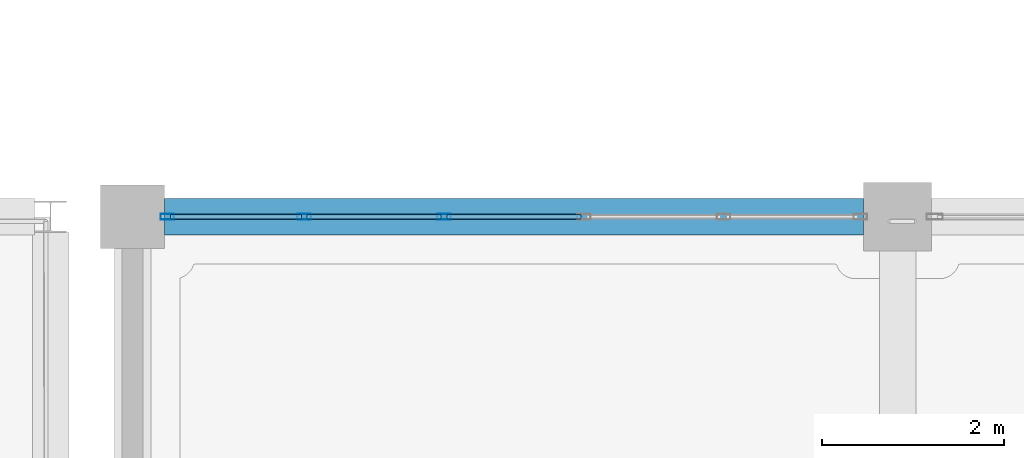
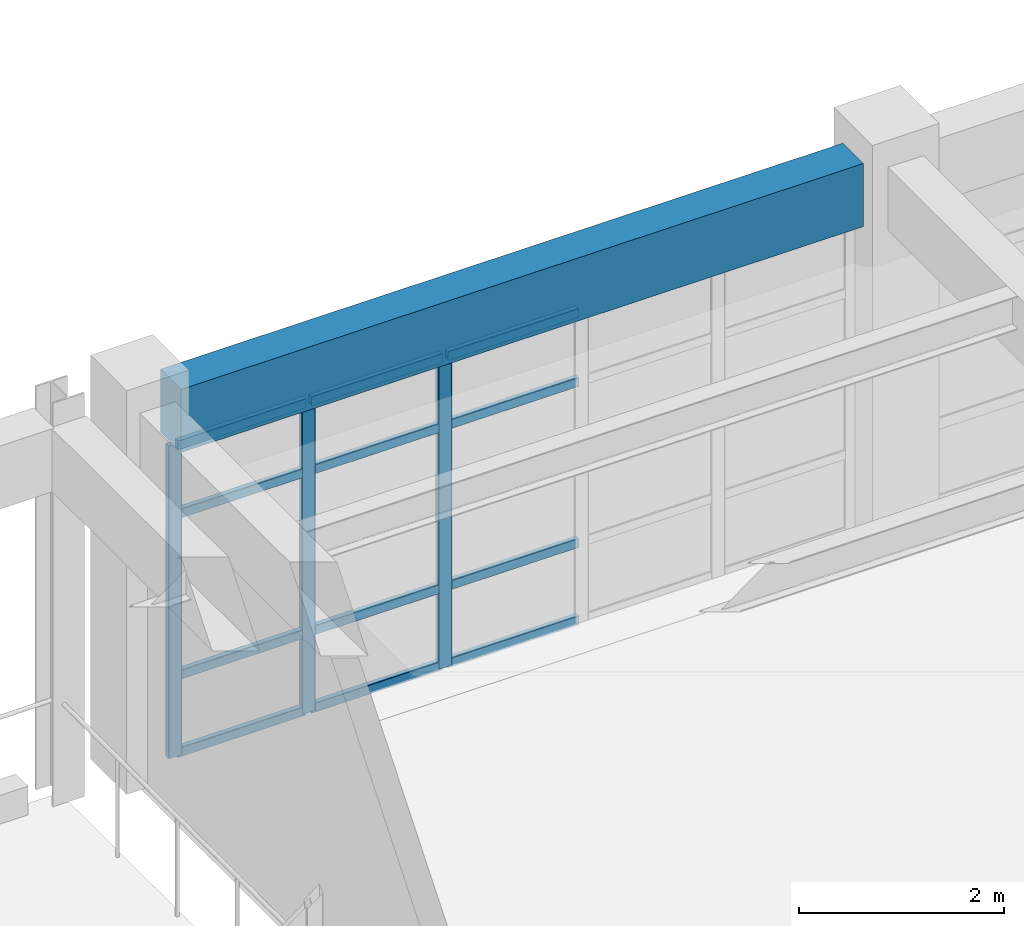
# One storey, part 17 of 98: 15 members, 1 beam, 1 element without a shape of its own.
"""IFC4 building model written with IfcOpenShell, lengths in metres."""

from ifc_helpers import new_model, si_unit, direction, frame, origin, origin_2d, place, context, subcontext, project, spatial, rectangle, hollow_rectangle, extrude, material, material_profile, profile_set, type_object, element, aggregate, save


model = new_model("IFC4")

# Units and contexts
model_context = context("Model", 3, precision=1e-05, world=origin(), true_north=direction((0.0, 1.0)))
body_context = subcontext(model_context, "Body", "Model", "MODEL_VIEW")
ifc_project = project(units=[si_unit("LENGTHUNIT", "METRE"), si_unit("AREAUNIT", "SQUARE_METRE"), si_unit("VOLUMEUNIT", "CUBIC_METRE"), si_unit("PLANEANGLEUNIT", "RADIAN"), si_unit("MASSUNIT", "GRAM", prefix="KILO")], contexts=[model_context])

# Site, building, storey
site_placement = place(None, origin())
site = spatial("IfcSite", under=ifc_project, at=site_placement, CompositionType="ELEMENT")
building_placement = place(site_placement, origin())
building = spatial("IfcBuilding", under=site, at=building_placement, Name="Canglan Escarpment Cableway Terminal", CompositionType="ELEMENT")
storey_placement = place(building_placement, frame((0.0, 0.0, 9.60009765625)))
storey = spatial("IfcBuildingStorey", under=building, at=storey_placement, Name="L02", CompositionType="ELEMENT", Elevation=9.60009765625)

# Curtain wall, members
ifc_material_1 = material(Name="Anodized bronze aluminium and Low-E double glazing", Category="aluminium")
curtain_wall_type = type_object("IfcCurtainWallType", Name="CW-BAY-7675x3725", PredefinedType="NOTDEFINED", material=ifc_material_1)
curtain_wall_placement = place(storey_placement, origin())
curtain_wall = element("IfcCurtainWall", 1, at=curtain_wall_placement, inside=storey, type_object=curtain_wall_type, Name="Classical bay-between-piers glazed curtain wall CW-05", PredefinedType="NOTDEFINED")
ifc_material_2 = material(Name="Thermally broken anodized aluminium 6063-T6", Category="aluminium")
ifc_material_profile_1 = material_profile(ifc_material_2, hollow_rectangle(XDim=0.06494140625, YDim=0.14990234375, WallThickness=0.00341796875, InnerFilletRadius=0.00341796875, OuterFilletRadius=0.007080078125, at=origin_2d()), Name="ALU-MULL 65x150x3.5")
ifc_profile_set_1 = profile_set([ifc_material_profile_1], Name="Thermally broken anodized aluminium 6063-T6")
member_type_1 = type_object("IfcMemberType", Name="CWM-02", PredefinedType="MULLION", material=ifc_profile_set_1)
member_1_placement = place(storey_placement, frame((80.419921875, 24.800048828125, 0.0), z_axis=(0.0, 0.0, 1.0), x_axis=(0.0, -1.0, 0.0)))
member_1 = element("IfcMember", 2, at=member_1_placement, type_object=member_type_1, Name="CW-05 mullion 4", PredefinedType="MULLION", context=body_context, shape_type="SweptSolid", body=[
    extrude(hollow_rectangle(XDim=0.06494140625, YDim=0.14990234375, WallThickness=0.00341796875, InnerFilletRadius=0.00341796875, OuterFilletRadius=0.007080078125, at=origin_2d()), origin(), (0.0, 0.0, 1.0), 3.71484375),
])
member_2_placement = place(storey_placement, frame((78.885009765625, 24.800048828125, 0.0), z_axis=(0.0, 0.0, 1.0), x_axis=(0.0, -1.0, 0.0)))
member_2 = element("IfcMember", 3, at=member_2_placement, type_object=member_type_1, Name="CW-05 mullion 5", PredefinedType="MULLION", context=body_context, shape_type="SweptSolid", body=[
    extrude(hollow_rectangle(XDim=0.06494140625, YDim=0.14990234375, WallThickness=0.00341796875, InnerFilletRadius=0.00341796875, OuterFilletRadius=0.007080078125, at=origin_2d()), origin(), (0.0, 0.0, 1.0), 3.71484375),
])
member_3_placement = place(storey_placement, frame((77.382568359375, 24.800048828125, 0.0), z_axis=(0.0, 0.0, 1.0), x_axis=(0.0, -1.0, 0.0)))
member_3 = element("IfcMember", 4, at=member_3_placement, type_object=member_type_1, Name="CW-05 mullion 6", PredefinedType="MULLION", context=body_context, shape_type="SweptSolid", body=[
    extrude(hollow_rectangle(XDim=0.06494140625, YDim=0.14990234375, WallThickness=0.00341796875, InnerFilletRadius=0.00341796875, OuterFilletRadius=0.007080078125, at=origin_2d()), origin(), (0.0, 0.0, 1.0), 3.71484375),
])
ifc_material_profile_2 = material_profile(ifc_material_2, hollow_rectangle(XDim=0.06005859375, YDim=0.110107421875, WallThickness=0.0029296875, InnerFilletRadius=0.0029296875, OuterFilletRadius=0.006103515625, at=origin_2d()), Name="ALU-TRAN 60x110x3")
ifc_profile_set_2 = profile_set([ifc_material_profile_2], Name="Thermally broken anodized aluminium 6063-T6")
member_type_2 = type_object("IfcMemberType", Name="CWT-02", PredefinedType="USERDEFINED", material=ifc_profile_set_2)
member_4_placement = place(storey_placement, frame((81.922607421875, 24.800048828125, 0.02978515625), z_axis=(-1.0, 0.0, 0.0), x_axis=(0.0, -1.0, 0.0)))
member_4 = element("IfcMember", 5, at=member_4_placement, type_object=member_type_2, Name="CW-05 transom 3.1", ObjectType="TRANSOM", PredefinedType="USERDEFINED", context=body_context, shape_type="SweptSolid", body=[
    extrude(hollow_rectangle(XDim=0.06005859375, YDim=0.110107421875, WallThickness=0.0029296875, InnerFilletRadius=0.0029296875, OuterFilletRadius=0.006103515625, at=origin_2d()), origin(), (0.0, 0.0, 1.0), 1.47021484375),
])
member_5_placement = place(storey_placement, frame((81.922607421875, 24.800048828125, 0.949951171875), z_axis=(-1.0, 0.0, 0.0), x_axis=(0.0, -1.0, 0.0)))
member_5 = element("IfcMember", 6, at=member_5_placement, type_object=member_type_2, Name="CW-05 transom 3.2", ObjectType="TRANSOM", PredefinedType="USERDEFINED", context=body_context, shape_type="SweptSolid", body=[
    extrude(hollow_rectangle(XDim=0.06005859375, YDim=0.110107421875, WallThickness=0.0029296875, InnerFilletRadius=0.0029296875, OuterFilletRadius=0.006103515625, at=origin_2d()), origin(), (0.0, 0.0, 1.0), 1.47021484375),
])
member_6_placement = place(storey_placement, frame((81.922607421875, 24.800048828125, 2.864990234375), z_axis=(-1.0, 0.0, 0.0), x_axis=(0.0, -1.0, 0.0)))
member_6 = element("IfcMember", 7, at=member_6_placement, type_object=member_type_2, Name="CW-05 transom 3.3", ObjectType="TRANSOM", PredefinedType="USERDEFINED", context=body_context, shape_type="SweptSolid", body=[
    extrude(hollow_rectangle(XDim=0.06005859375, YDim=0.110107421875, WallThickness=0.0029296875, InnerFilletRadius=0.0029296875, OuterFilletRadius=0.006103515625, at=origin_2d()), origin(), (0.0, 0.0, 1.0), 1.47021484375),
])
member_7_placement = place(storey_placement, frame((81.922607421875, 24.800048828125, 3.684814453125), z_axis=(-1.0, 0.0, 0.0), x_axis=(0.0, -1.0, 0.0)))
member_7 = element("IfcMember", 8, at=member_7_placement, type_object=member_type_2, Name="CW-05 transom 3.4", ObjectType="TRANSOM", PredefinedType="USERDEFINED", context=body_context, shape_type="SweptSolid", body=[
    extrude(hollow_rectangle(XDim=0.06005859375, YDim=0.110107421875, WallThickness=0.0029296875, InnerFilletRadius=0.0029296875, OuterFilletRadius=0.006103515625, at=origin_2d()), origin(), (0.0, 0.0, 1.0), 1.47021484375),
])
member_8_placement = place(storey_placement, frame((80.387451171875, 24.800048828125, 0.02978515625), z_axis=(-1.0, 0.0, 0.0), x_axis=(0.0, -1.0, 0.0)))
member_8 = element("IfcMember", 9, at=member_8_placement, type_object=member_type_2, Name="CW-05 transom 4.1", ObjectType="TRANSOM", PredefinedType="USERDEFINED", context=body_context, shape_type="SweptSolid", body=[
    extrude(hollow_rectangle(XDim=0.06005859375, YDim=0.110107421875, WallThickness=0.0029296875, InnerFilletRadius=0.0029296875, OuterFilletRadius=0.006103515625, at=origin_2d()), origin(), (0.0, 0.0, 1.0), 1.469970703125),
])
member_9_placement = place(storey_placement, frame((80.387451171875, 24.800048828125, 0.949951171875), z_axis=(-1.0, 0.0, 0.0), x_axis=(0.0, -1.0, 0.0)))
member_9 = element("IfcMember", 10, at=member_9_placement, type_object=member_type_2, Name="CW-05 transom 4.2", ObjectType="TRANSOM", PredefinedType="USERDEFINED", context=body_context, shape_type="SweptSolid", body=[
    extrude(hollow_rectangle(XDim=0.06005859375, YDim=0.110107421875, WallThickness=0.0029296875, InnerFilletRadius=0.0029296875, OuterFilletRadius=0.006103515625, at=origin_2d()), origin(), (0.0, 0.0, 1.0), 1.469970703125),
])
member_10_placement = place(storey_placement, frame((80.387451171875, 24.800048828125, 2.864990234375), z_axis=(-1.0, 0.0, 0.0), x_axis=(0.0, -1.0, 0.0)))
member_10 = element("IfcMember", 11, at=member_10_placement, type_object=member_type_2, Name="CW-05 transom 4.3", ObjectType="TRANSOM", PredefinedType="USERDEFINED", context=body_context, shape_type="SweptSolid", body=[
    extrude(hollow_rectangle(XDim=0.06005859375, YDim=0.110107421875, WallThickness=0.0029296875, InnerFilletRadius=0.0029296875, OuterFilletRadius=0.006103515625, at=origin_2d()), origin(), (0.0, 0.0, 1.0), 1.469970703125),
])
member_11_placement = place(storey_placement, frame((80.387451171875, 24.800048828125, 3.684814453125), z_axis=(-1.0, 0.0, 0.0), x_axis=(0.0, -1.0, 0.0)))
member_11 = element("IfcMember", 12, at=member_11_placement, type_object=member_type_2, Name="CW-05 transom 4.4", ObjectType="TRANSOM", PredefinedType="USERDEFINED", context=body_context, shape_type="SweptSolid", body=[
    extrude(hollow_rectangle(XDim=0.06005859375, YDim=0.110107421875, WallThickness=0.0029296875, InnerFilletRadius=0.0029296875, OuterFilletRadius=0.006103515625, at=origin_2d()), origin(), (0.0, 0.0, 1.0), 1.469970703125),
])
member_12_placement = place(storey_placement, frame((78.8525390625, 24.800048828125, 0.02978515625), z_axis=(-1.0, 0.0, 0.0), x_axis=(0.0, -1.0, 0.0)))
member_12 = element("IfcMember", 13, at=member_12_placement, type_object=member_type_2, Name="CW-05 transom 5.1", ObjectType="TRANSOM", PredefinedType="USERDEFINED", context=body_context, shape_type="SweptSolid", body=[
    extrude(hollow_rectangle(XDim=0.06005859375, YDim=0.110107421875, WallThickness=0.0029296875, InnerFilletRadius=0.0029296875, OuterFilletRadius=0.006103515625, at=origin_2d()), origin(), (0.0, 0.0, 1.0), 1.4375),
])
member_13_placement = place(storey_placement, frame((78.8525390625, 24.800048828125, 0.949951171875), z_axis=(-1.0, 0.0, 0.0), x_axis=(0.0, -1.0, 0.0)))
member_13 = element("IfcMember", 14, at=member_13_placement, type_object=member_type_2, Name="CW-05 transom 5.2", ObjectType="TRANSOM", PredefinedType="USERDEFINED", context=body_context, shape_type="SweptSolid", body=[
    extrude(hollow_rectangle(XDim=0.06005859375, YDim=0.110107421875, WallThickness=0.0029296875, InnerFilletRadius=0.0029296875, OuterFilletRadius=0.006103515625, at=origin_2d()), origin(), (0.0, 0.0, 1.0), 1.4375),
])
member_14_placement = place(storey_placement, frame((78.8525390625, 24.800048828125, 2.864990234375), z_axis=(-1.0, 0.0, 0.0), x_axis=(0.0, -1.0, 0.0)))
member_14 = element("IfcMember", 15, at=member_14_placement, type_object=member_type_2, Name="CW-05 transom 5.3", ObjectType="TRANSOM", PredefinedType="USERDEFINED", context=body_context, shape_type="SweptSolid", body=[
    extrude(hollow_rectangle(XDim=0.06005859375, YDim=0.110107421875, WallThickness=0.0029296875, InnerFilletRadius=0.0029296875, OuterFilletRadius=0.006103515625, at=origin_2d()), origin(), (0.0, 0.0, 1.0), 1.4375),
])
member_15_placement = place(storey_placement, frame((78.8525390625, 24.800048828125, 3.684814453125), z_axis=(-1.0, 0.0, 0.0), x_axis=(0.0, -1.0, 0.0)))
member_15 = element("IfcMember", 16, at=member_15_placement, type_object=member_type_2, Name="CW-05 transom 5.4", ObjectType="TRANSOM", PredefinedType="USERDEFINED", context=body_context, shape_type="SweptSolid", body=[
    extrude(hollow_rectangle(XDim=0.06005859375, YDim=0.110107421875, WallThickness=0.0029296875, InnerFilletRadius=0.0029296875, OuterFilletRadius=0.006103515625, at=origin_2d()), origin(), (0.0, 0.0, 1.0), 1.4375),
])
aggregate(curtain_wall, [member_1, member_2, member_3, member_4, member_5, member_6, member_7, member_8, member_9, member_10, member_11, member_12, member_13, member_14, member_15])

# Beam
ifc_material_3 = material(Name="Concrete C40", Category="concrete")
ifc_material_profile_3 = material_profile(ifc_material_3, rectangle(XDim=0.39990234375, YDim=0.75, at=origin_2d()), Name="RC 400x750")
ifc_profile_set_3 = profile_set([ifc_material_profile_3], Name="Concrete C40")
beam_type = type_object("IfcBeamType", Name="SP-RC400x750", PredefinedType="SPANDREL", material=ifc_profile_set_3)
beam_placement = place(storey_placement, frame((77.35009765625, 24.800048828125, 4.10498046875), z_axis=(1.0, 0.0, 0.0), x_axis=(0.0, 1.0, 0.0)))
element("IfcBeam", 17, at=beam_placement, inside=storey, type_object=beam_type, Name="Primary structural girder SP-01", PredefinedType="SPANDREL", context=body_context, shape_type="SweptSolid", body=[
    extrude(rectangle(XDim=0.39990234375, YDim=0.75, at=origin_2d()), origin(), (0.0, 0.0, 1.0), 7.6748046875),
])

save(model, "model.ifc")
